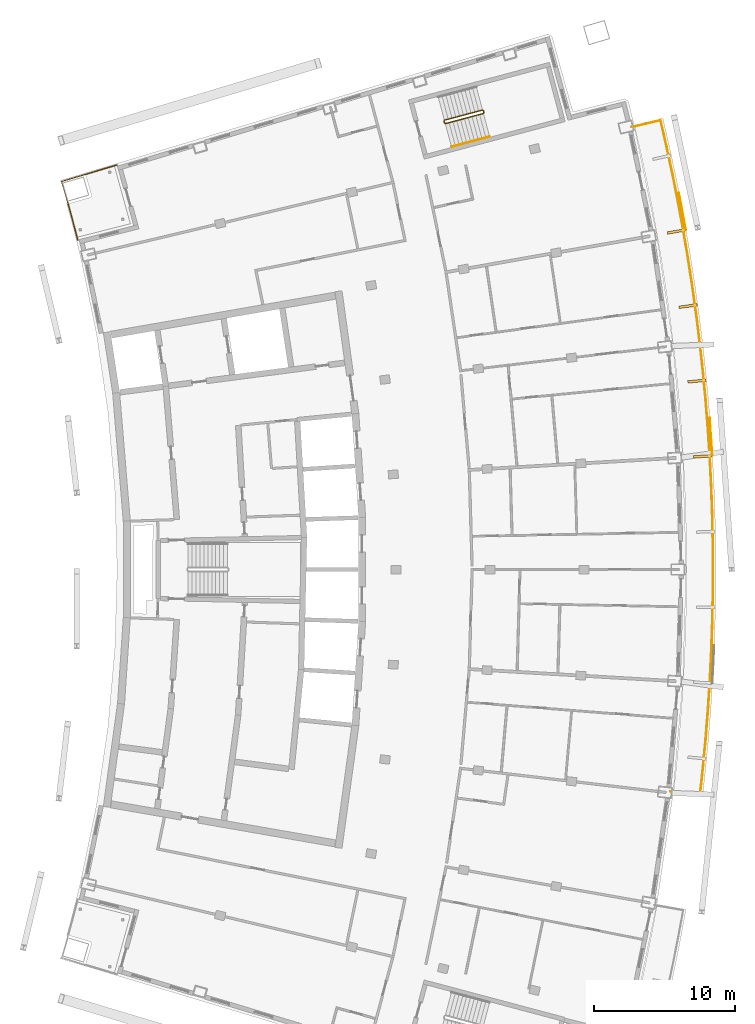
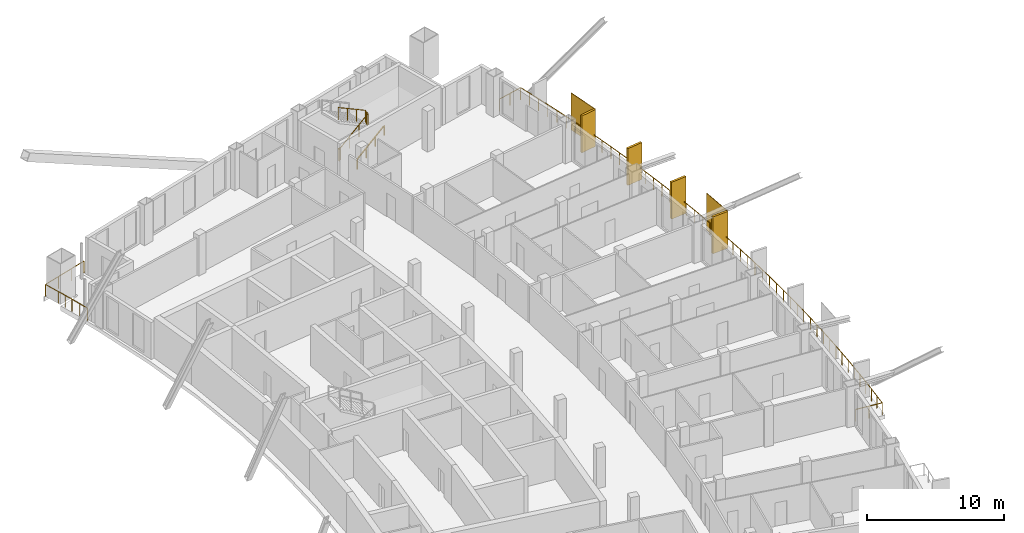
# One storey, part 16 of 17: 6 shading devices, 4 railings.
"""IFC4 building model written with IfcOpenShell, lengths in metres."""

from ifc_helpers import new_model, si_unit, direction, frame, origin, origin_2d, place, context, subcontext, project, spatial, rectangle, extrude, material, layer, layer_set, type_object, element, save


model = new_model("IFC4")

# Units and contexts
model_context = context("Model", 3, precision=1e-05, world=origin(), true_north=direction((0.0, 1.0)))
body_context = subcontext(model_context, "Body", "Model", "MODEL_VIEW")
ifc_project = project(units=[si_unit("LENGTHUNIT", "METRE"), si_unit("AREAUNIT", "SQUARE_METRE"), si_unit("VOLUMEUNIT", "CUBIC_METRE"), si_unit("PLANEANGLEUNIT", "RADIAN"), si_unit("MASSUNIT", "GRAM", prefix="KILO")], contexts=[model_context])

# Site, building, storey
site_placement = place(None, origin())
site = spatial("IfcSite", under=ifc_project, at=site_placement, CompositionType="ELEMENT")
building_placement = place(site_placement, origin())
building = spatial("IfcBuilding", under=site, at=building_placement, Name="Alderwake Tower", CompositionType="ELEMENT")
storey_placement = place(building_placement, frame((0.0, 0.0, 278.0)))
storey = spatial("IfcBuildingStorey", under=building, at=storey_placement, Name="L69", CompositionType="ELEMENT", Elevation=278.0)

# Railings
ifc_material_1 = material(Name="Stainless steel 316 rail and posts", Category="steel")
railing_type_1 = type_object("IfcRailingType", Name="Balcony guard 1100", PredefinedType="GUARDRAIL", material=ifc_material_1)
railing_1_placement = place(storey_placement, frame((55.28564453125, 45.243896484375, 0.0)))
element("IfcRailing", 1, at=railing_1_placement, inside=storey, type_object=railing_type_1, Name="Guard BF05", PredefinedType="GUARDRAIL", context=body_context, shape_type="SweptSolid", body=[
    extrude(rectangle(XDim=0.048095703125, YDim=0.048095703125, at=origin_2d()), frame((0.0, 0.0, 1.076171875), z_axis=(0.993287203457, -0.115674247125, 0.0), x_axis=(0.115674247125, 0.993287203457, 0.0)), (0.0, 0.0, 1.0), 2.10009765625),
    extrude(rectangle(XDim=0.048095703125, YDim=0.048095703125, at=origin_2d()), frame((2.0859375, -0.242919921875, 1.076171875), z_axis=(0.108767888102, 0.994067174047, 0.0), x_axis=(-0.994067174047, 0.108767888102, 0.0)), (0.0, 0.0, 1.0), 1.9169921875),
    extrude(rectangle(XDim=0.048095703125, YDim=0.048095703125, at=origin_2d()), frame((2.29443359375, 1.66259765625, 1.076171875), z_axis=(0.094660568138, 0.995509606604, 0.0), x_axis=(-0.995509606604, 0.094660568138, 0.0)), (0.0, 0.0, 1.0), 2.016845703125),
    extrude(rectangle(XDim=0.048095703125, YDim=0.048095703125, at=origin_2d()), frame((2.4853515625, 3.67041015625, 1.076171875), z_axis=(0.080139758047, 0.996783637095, 0.0), x_axis=(-0.996783637095, 0.080139758047, 0.0)), (0.0, 0.0, 1.0), 2.016845703125),
    extrude(rectangle(XDim=0.048095703125, YDim=0.048095703125, at=origin_2d()), frame((2.64697265625, 5.6806640625, 1.076171875), z_axis=(0.065490546604, 0.997853189756, 0.0), x_axis=(-0.997853189756, 0.065490546604, 0.0)), (0.0, 0.0, 1.0), 2.016845703125),
    extrude(rectangle(XDim=0.048095703125, YDim=0.048095703125, at=origin_2d()), frame((2.779052734375, 7.693115234375, 1.076171875), z_axis=(0.051078552606, 0.998694638748, 0.0), x_axis=(-0.998694638748, 0.051078552606, 0.0)), (0.0, 0.0, 1.0), 2.01708984375),
    extrude(rectangle(XDim=0.048095703125, YDim=0.048095703125, at=origin_2d()), frame((2.882080078125, 9.70751953125, 1.076171875), z_axis=(0.036438534793, 0.999335896074, 0.0), x_axis=(-0.999335896074, 0.036438534793, 0.0)), (0.0, 0.0, 1.0), 2.0166015625),
    extrude(rectangle(XDim=0.048095703125, YDim=0.048095703125, at=origin_2d()), frame((2.95556640625, 11.722900390625, 1.076171875), z_axis=(0.021910225153, 0.999759942203, 0.0), x_axis=(-0.999759942203, 0.021910225153, 0.0)), (0.0, 0.0, 1.0), 2.016845703125),
    extrude(rectangle(XDim=0.048095703125, YDim=0.048095703125, at=origin_2d()), frame((2.999755859375, 13.7392578125, 1.076171875), z_axis=(0.007262851653, 0.999973625145, 0.0), x_axis=(-0.999973625145, 0.007262851653, 0.0)), (0.0, 0.0, 1.0), 2.016845703125),
    extrude(rectangle(XDim=0.048095703125, YDim=0.048095703125, at=origin_2d()), frame((3.014404296875, 15.756103515625, 1.076171875), z_axis=(-0.007262851653, 0.999973625145, 0.0), x_axis=(-0.999973625145, -0.007262851653, 0.0)), (0.0, 0.0, 1.0), 2.016845703125),
    extrude(rectangle(XDim=0.048095703125, YDim=0.048095703125, at=origin_2d()), frame((2.999755859375, 17.77294921875, 1.076171875), z_axis=(-0.021910225153, 0.999759942203, 0.0), x_axis=(-0.999759942203, -0.021910225153, 0.0)), (0.0, 0.0, 1.0), 2.016845703125),
    extrude(rectangle(XDim=0.048095703125, YDim=0.048095703125, at=origin_2d()), frame((2.95556640625, 19.789306640625, 1.076171875), z_axis=(-0.036438534793, 0.999335896074, 0.0), x_axis=(-0.999335896074, -0.036438534793, 0.0)), (0.0, 0.0, 1.0), 2.0166015625),
    extrude(rectangle(XDim=0.048095703125, YDim=0.048095703125, at=origin_2d()), frame((2.882080078125, 21.8046875, 1.076171875), z_axis=(-0.051078552606, 0.998694638748, 0.0), x_axis=(-0.998694638748, -0.051078552606, 0.0)), (0.0, 0.0, 1.0), 2.01708984375),
    extrude(rectangle(XDim=0.048095703125, YDim=0.048095703125, at=origin_2d()), frame((2.779052734375, 23.819091796875, 1.076171875), z_axis=(-0.065490546604, 0.997853189756, 0.0), x_axis=(-0.997853189756, -0.065490546604, 0.0)), (0.0, 0.0, 1.0), 2.016845703125),
    extrude(rectangle(XDim=0.048095703125, YDim=0.048095703125, at=origin_2d()), frame((2.64697265625, 25.83154296875, 1.076171875), z_axis=(-0.080139758047, 0.996783637095, 0.0), x_axis=(-0.996783637095, -0.080139758047, 0.0)), (0.0, 0.0, 1.0), 2.016845703125),
    extrude(rectangle(XDim=0.048095703125, YDim=0.048095703125, at=origin_2d()), frame((2.4853515625, 27.841796875, 1.076171875), z_axis=(-0.094660568138, 0.995509606604, 0.0), x_axis=(-0.995509606604, -0.094660568138, 0.0)), (0.0, 0.0, 1.0), 2.016845703125),
    extrude(rectangle(XDim=0.048095703125, YDim=0.048095703125, at=origin_2d()), frame((2.29443359375, 29.849609375, 1.076171875), z_axis=(-0.109182608564, 0.994021709012, 0.0), x_axis=(-0.994021709012, -0.109182608564, 0.0)), (0.0, 0.0, 1.0), 2.016845703125),
    extrude(rectangle(XDim=0.048095703125, YDim=0.048095703125, at=origin_2d()), frame((2.07421875, 31.8544921875, 1.076171875), z_axis=(-0.12358778359, 0.992333643362, 0.0), x_axis=(-0.992333643362, -0.12358778359, 0.0)), (0.0, 0.0, 1.0), 2.016845703125),
    extrude(rectangle(XDim=0.048095703125, YDim=0.048095703125, at=origin_2d()), frame((1.824951171875, 33.85595703125, 1.076171875), z_axis=(-0.138115953445, 0.990416065805, 0.0), x_axis=(-0.990416065805, -0.138115953445, 0.0)), (0.0, 0.0, 1.0), 2.016845703125),
    extrude(rectangle(XDim=0.048095703125, YDim=0.048095703125, at=origin_2d()), frame((1.54638671875, 35.853515625, 1.076171875), z_axis=(-0.152530193773, 0.988298811083, 0.0), x_axis=(-0.988298811083, -0.152530193773, 0.0)), (0.0, 0.0, 1.0), 2.016845703125),
    extrude(rectangle(XDim=0.048095703125, YDim=0.048095703125, at=origin_2d()), frame((1.23876953125, 37.8466796875, 1.076171875), z_axis=(-0.166930722761, 0.985968627188, 0.0), x_axis=(-0.985968627188, -0.166930722761, 0.0)), (0.0, 0.0, 1.0), 2.016845703125),
    extrude(rectangle(XDim=0.048095703125, YDim=0.048095703125, at=origin_2d()), frame((0.902099609375, 39.835205078125, 1.076171875), z_axis=(-0.181334963414, 0.983421390373, 0.0), x_axis=(-0.983421390373, -0.181334963414, 0.0)), (0.0, 0.0, 1.0), 2.016845703125),
    extrude(rectangle(XDim=0.048095703125, YDim=0.048095703125, at=origin_2d()), frame((0.536376953125, 41.818603515625, 1.076171875), z_axis=(-0.195604007271, 0.980682962195, 0.0), x_axis=(-0.980682962195, -0.195604007271, 0.0)), (0.0, 0.0, 1.0), 2.01708984375),
    extrude(rectangle(XDim=0.048095703125, YDim=0.048095703125, at=origin_2d()), frame((0.141845703125, 43.796630859375, 1.076171875), z_axis=(-0.20990108156, 0.977722627313, 0.0), x_axis=(-0.977722627313, -0.20990108156, 0.0)), (0.0, 0.0, 1.0), 2.016845703125),
    extrude(rectangle(XDim=0.048095703125, YDim=0.048095703125, at=origin_2d()), frame((-0.281494140625, 45.7685546875, 1.076171875), z_axis=(-0.223789603838, 0.974637477842, 0.0), x_axis=(-0.974637477842, -0.223789603838, 0.0)), (0.0, 0.0, 1.0), 1.916748046875),
    extrude(rectangle(XDim=0.048095703125, YDim=0.048095703125, at=origin_2d()), frame((-0.71044921875, 47.63671875, 1.076171875), z_axis=(-0.973057638874, -0.230561990427, 0.0), x_axis=(0.230561990427, -0.973057638874, 0.0)), (0.0, 0.0, 1.0), 2.099853515625),
    extrude(rectangle(XDim=0.0419921875, YDim=0.0419921875, at=origin_2d()), frame((0.0, 0.0, 0.0), z_axis=(0.0, 0.0, 1.0), x_axis=(0.993287203457, -0.115674247125, 0.0)), (0.0, 0.0, 1.0), 1.052001953125),
    extrude(rectangle(XDim=0.0419921875, YDim=0.0419921875, at=origin_2d()), frame((1.04296875, -0.12158203125, 0.0), z_axis=(0.0, 0.0, 1.0), x_axis=(0.993287203457, -0.115674247125, 0.0)), (0.0, 0.0, 1.0), 1.052001953125),
    extrude(rectangle(XDim=0.0419921875, YDim=0.0419921875, at=origin_2d()), frame((2.0859375, -0.242919921875, 0.0), z_axis=(0.0, 0.0, 1.0), x_axis=(0.108767888102, 0.994067174047, 0.0)), (0.0, 0.0, 1.0), 1.052001953125),
    extrude(rectangle(XDim=0.0419921875, YDim=0.0419921875, at=origin_2d()), frame((2.190185546875, 0.7099609375, 0.0), z_axis=(0.0, 0.0, 1.0), x_axis=(0.108767888102, 0.994067174047, 0.0)), (0.0, 0.0, 1.0), 1.052001953125),
    extrude(rectangle(XDim=0.0419921875, YDim=0.0419921875, at=origin_2d()), frame((2.29443359375, 1.66259765625, 0.0), z_axis=(0.0, 0.0, 1.0), x_axis=(0.094660568138, 0.995509606604, 0.0)), (0.0, 0.0, 1.0), 1.052001953125),
    extrude(rectangle(XDim=0.0419921875, YDim=0.0419921875, at=origin_2d()), frame((2.389892578125, 2.66650390625, 0.0), z_axis=(0.0, 0.0, 1.0), x_axis=(0.094660568138, 0.995509606604, 0.0)), (0.0, 0.0, 1.0), 1.052001953125),
    extrude(rectangle(XDim=0.0419921875, YDim=0.0419921875, at=origin_2d()), frame((2.4853515625, 3.67041015625, 0.0), z_axis=(0.0, 0.0, 1.0), x_axis=(0.080139758047, 0.996783637095, 0.0)), (0.0, 0.0, 1.0), 1.052001953125),
    extrude(rectangle(XDim=0.0419921875, YDim=0.0419921875, at=origin_2d()), frame((2.566162109375, 4.675537109375, 0.0), z_axis=(0.0, 0.0, 1.0), x_axis=(0.080139758047, 0.996783637095, 0.0)), (0.0, 0.0, 1.0), 1.052001953125),
    extrude(rectangle(XDim=0.0419921875, YDim=0.0419921875, at=origin_2d()), frame((2.64697265625, 5.6806640625, 0.0), z_axis=(0.0, 0.0, 1.0), x_axis=(0.065490546604, 0.997853189756, 0.0)), (0.0, 0.0, 1.0), 1.052001953125),
    extrude(rectangle(XDim=0.0419921875, YDim=0.0419921875, at=origin_2d()), frame((2.712890625, 6.68701171875, 0.0), z_axis=(0.0, 0.0, 1.0), x_axis=(0.065490546604, 0.997853189756, 0.0)), (0.0, 0.0, 1.0), 1.052001953125),
    extrude(rectangle(XDim=0.0419921875, YDim=0.0419921875, at=origin_2d()), frame((2.779052734375, 7.693115234375, 0.0), z_axis=(0.0, 0.0, 1.0), x_axis=(0.051078552606, 0.998694638748, 0.0)), (0.0, 0.0, 1.0), 1.052001953125),
    extrude(rectangle(XDim=0.0419921875, YDim=0.0419921875, at=origin_2d()), frame((2.83056640625, 8.7001953125, 0.0), z_axis=(0.0, 0.0, 1.0), x_axis=(0.051078552606, 0.998694638748, 0.0)), (0.0, 0.0, 1.0), 1.052001953125),
    extrude(rectangle(XDim=0.0419921875, YDim=0.0419921875, at=origin_2d()), frame((2.882080078125, 9.70751953125, 0.0), z_axis=(0.0, 0.0, 1.0), x_axis=(0.036438534793, 0.999335896074, 0.0)), (0.0, 0.0, 1.0), 1.052001953125),
    extrude(rectangle(XDim=0.0419921875, YDim=0.0419921875, at=origin_2d()), frame((2.9189453125, 10.71533203125, 0.0), z_axis=(0.0, 0.0, 1.0), x_axis=(0.036438534793, 0.999335896074, 0.0)), (0.0, 0.0, 1.0), 1.052001953125),
    extrude(rectangle(XDim=0.0419921875, YDim=0.0419921875, at=origin_2d()), frame((2.95556640625, 11.722900390625, 0.0), z_axis=(0.0, 0.0, 1.0), x_axis=(0.021910225153, 0.999759942203, 0.0)), (0.0, 0.0, 1.0), 1.052001953125),
    extrude(rectangle(XDim=0.0419921875, YDim=0.0419921875, at=origin_2d()), frame((2.9775390625, 12.73095703125, 0.0), z_axis=(0.0, 0.0, 1.0), x_axis=(0.021910225153, 0.999759942203, 0.0)), (0.0, 0.0, 1.0), 1.052001953125),
    extrude(rectangle(XDim=0.0419921875, YDim=0.0419921875, at=origin_2d()), frame((2.999755859375, 13.7392578125, 0.0), z_axis=(0.0, 0.0, 1.0), x_axis=(0.007262851653, 0.999973625145, 0.0)), (0.0, 0.0, 1.0), 1.052001953125),
    extrude(rectangle(XDim=0.0419921875, YDim=0.0419921875, at=origin_2d()), frame((3.007080078125, 14.74755859375, 0.0), z_axis=(0.0, 0.0, 1.0), x_axis=(0.007262851653, 0.999973625145, 0.0)), (0.0, 0.0, 1.0), 1.052001953125),
    extrude(rectangle(XDim=0.0419921875, YDim=0.0419921875, at=origin_2d()), frame((3.014404296875, 15.756103515625, 0.0), z_axis=(0.0, 0.0, 1.0), x_axis=(-0.007262851653, 0.999973625145, 0.0)), (0.0, 0.0, 1.0), 1.052001953125),
    extrude(rectangle(XDim=0.0419921875, YDim=0.0419921875, at=origin_2d()), frame((3.007080078125, 16.7646484375, 0.0), z_axis=(0.0, 0.0, 1.0), x_axis=(-0.007262851653, 0.999973625145, 0.0)), (0.0, 0.0, 1.0), 1.052001953125),
    extrude(rectangle(XDim=0.0419921875, YDim=0.0419921875, at=origin_2d()), frame((2.999755859375, 17.77294921875, 0.0), z_axis=(0.0, 0.0, 1.0), x_axis=(-0.021910225153, 0.999759942203, 0.0)), (0.0, 0.0, 1.0), 1.052001953125),
    extrude(rectangle(XDim=0.0419921875, YDim=0.0419921875, at=origin_2d()), frame((2.9775390625, 18.78125, 0.0), z_axis=(0.0, 0.0, 1.0), x_axis=(-0.021910225153, 0.999759942203, 0.0)), (0.0, 0.0, 1.0), 1.052001953125),
    extrude(rectangle(XDim=0.0419921875, YDim=0.0419921875, at=origin_2d()), frame((2.95556640625, 19.789306640625, 0.0), z_axis=(0.0, 0.0, 1.0), x_axis=(-0.036438534793, 0.999335896074, 0.0)), (0.0, 0.0, 1.0), 1.052001953125),
    extrude(rectangle(XDim=0.0419921875, YDim=0.0419921875, at=origin_2d()), frame((2.9189453125, 20.796875, 0.0), z_axis=(0.0, 0.0, 1.0), x_axis=(-0.036438534793, 0.999335896074, 0.0)), (0.0, 0.0, 1.0), 1.052001953125),
    extrude(rectangle(XDim=0.0419921875, YDim=0.0419921875, at=origin_2d()), frame((2.882080078125, 21.8046875, 0.0), z_axis=(0.0, 0.0, 1.0), x_axis=(-0.051078552606, 0.998694638748, 0.0)), (0.0, 0.0, 1.0), 1.052001953125),
    extrude(rectangle(XDim=0.0419921875, YDim=0.0419921875, at=origin_2d()), frame((2.83056640625, 22.81201171875, 0.0), z_axis=(0.0, 0.0, 1.0), x_axis=(-0.051078552606, 0.998694638748, 0.0)), (0.0, 0.0, 1.0), 1.052001953125),
    extrude(rectangle(XDim=0.0419921875, YDim=0.0419921875, at=origin_2d()), frame((2.779052734375, 23.819091796875, 0.0), z_axis=(0.0, 0.0, 1.0), x_axis=(-0.065490546604, 0.997853189756, 0.0)), (0.0, 0.0, 1.0), 1.052001953125),
    extrude(rectangle(XDim=0.0419921875, YDim=0.0419921875, at=origin_2d()), frame((2.712890625, 24.8251953125, 0.0), z_axis=(0.0, 0.0, 1.0), x_axis=(-0.065490546604, 0.997853189756, 0.0)), (0.0, 0.0, 1.0), 1.052001953125),
    extrude(rectangle(XDim=0.0419921875, YDim=0.0419921875, at=origin_2d()), frame((2.64697265625, 25.83154296875, 0.0), z_axis=(0.0, 0.0, 1.0), x_axis=(-0.080139758047, 0.996783637095, 0.0)), (0.0, 0.0, 1.0), 1.052001953125),
    extrude(rectangle(XDim=0.0419921875, YDim=0.0419921875, at=origin_2d()), frame((2.566162109375, 26.836669921875, 0.0), z_axis=(0.0, 0.0, 1.0), x_axis=(-0.080139758047, 0.996783637095, 0.0)), (0.0, 0.0, 1.0), 1.052001953125),
    extrude(rectangle(XDim=0.0419921875, YDim=0.0419921875, at=origin_2d()), frame((2.4853515625, 27.841796875, 0.0), z_axis=(0.0, 0.0, 1.0), x_axis=(-0.094660568138, 0.995509606604, 0.0)), (0.0, 0.0, 1.0), 1.052001953125),
    extrude(rectangle(XDim=0.0419921875, YDim=0.0419921875, at=origin_2d()), frame((2.389892578125, 28.845703125, 0.0), z_axis=(0.0, 0.0, 1.0), x_axis=(-0.094660568138, 0.995509606604, 0.0)), (0.0, 0.0, 1.0), 1.052001953125),
    extrude(rectangle(XDim=0.0419921875, YDim=0.0419921875, at=origin_2d()), frame((2.29443359375, 29.849609375, 0.0), z_axis=(0.0, 0.0, 1.0), x_axis=(-0.109182608564, 0.994021709012, 0.0)), (0.0, 0.0, 1.0), 1.052001953125),
    extrude(rectangle(XDim=0.0419921875, YDim=0.0419921875, at=origin_2d()), frame((2.184326171875, 30.85205078125, 0.0), z_axis=(0.0, 0.0, 1.0), x_axis=(-0.109182608564, 0.994021709012, 0.0)), (0.0, 0.0, 1.0), 1.052001953125),
    extrude(rectangle(XDim=0.0419921875, YDim=0.0419921875, at=origin_2d()), frame((2.07421875, 31.8544921875, 0.0), z_axis=(0.0, 0.0, 1.0), x_axis=(-0.12358778359, 0.992333643362, 0.0)), (0.0, 0.0, 1.0), 1.052001953125),
    extrude(rectangle(XDim=0.0419921875, YDim=0.0419921875, at=origin_2d()), frame((1.94970703125, 32.855224609375, 0.0), z_axis=(0.0, 0.0, 1.0), x_axis=(-0.12358778359, 0.992333643362, 0.0)), (0.0, 0.0, 1.0), 1.052001953125),
    extrude(rectangle(XDim=0.0419921875, YDim=0.0419921875, at=origin_2d()), frame((1.824951171875, 33.85595703125, 0.0), z_axis=(0.0, 0.0, 1.0), x_axis=(-0.138115953445, 0.990416065805, 0.0)), (0.0, 0.0, 1.0), 1.052001953125),
    extrude(rectangle(XDim=0.0419921875, YDim=0.0419921875, at=origin_2d()), frame((1.685546875, 34.854736328125, 0.0), z_axis=(0.0, 0.0, 1.0), x_axis=(-0.138115953445, 0.990416065805, 0.0)), (0.0, 0.0, 1.0), 1.052001953125),
    extrude(rectangle(XDim=0.0419921875, YDim=0.0419921875, at=origin_2d()), frame((1.54638671875, 35.853515625, 0.0), z_axis=(0.0, 0.0, 1.0), x_axis=(-0.152530193773, 0.988298811083, 0.0)), (0.0, 0.0, 1.0), 1.052001953125),
    extrude(rectangle(XDim=0.0419921875, YDim=0.0419921875, at=origin_2d()), frame((1.392578125, 36.85009765625, 0.0), z_axis=(0.0, 0.0, 1.0), x_axis=(-0.152530193773, 0.988298811083, 0.0)), (0.0, 0.0, 1.0), 1.052001953125),
    extrude(rectangle(XDim=0.0419921875, YDim=0.0419921875, at=origin_2d()), frame((1.23876953125, 37.8466796875, 0.0), z_axis=(0.0, 0.0, 1.0), x_axis=(-0.166930722761, 0.985968627188, 0.0)), (0.0, 0.0, 1.0), 1.052001953125),
    extrude(rectangle(XDim=0.0419921875, YDim=0.0419921875, at=origin_2d()), frame((1.0703125, 38.8408203125, 0.0), z_axis=(0.0, 0.0, 1.0), x_axis=(-0.166930722761, 0.985968627188, 0.0)), (0.0, 0.0, 1.0), 1.052001953125),
    extrude(rectangle(XDim=0.0419921875, YDim=0.0419921875, at=origin_2d()), frame((0.902099609375, 39.835205078125, 0.0), z_axis=(0.0, 0.0, 1.0), x_axis=(-0.181334963414, 0.983421390373, 0.0)), (0.0, 0.0, 1.0), 1.052001953125),
    extrude(rectangle(XDim=0.0419921875, YDim=0.0419921875, at=origin_2d()), frame((0.71923828125, 40.826904296875, 0.0), z_axis=(0.0, 0.0, 1.0), x_axis=(-0.181334963414, 0.983421390373, 0.0)), (0.0, 0.0, 1.0), 1.052001953125),
    extrude(rectangle(XDim=0.0419921875, YDim=0.0419921875, at=origin_2d()), frame((0.536376953125, 41.818603515625, 0.0), z_axis=(0.0, 0.0, 1.0), x_axis=(-0.195604007271, 0.980682962195, 0.0)), (0.0, 0.0, 1.0), 1.052001953125),
    extrude(rectangle(XDim=0.0419921875, YDim=0.0419921875, at=origin_2d()), frame((0.339111328125, 42.8076171875, 0.0), z_axis=(0.0, 0.0, 1.0), x_axis=(-0.195604007271, 0.980682962195, 0.0)), (0.0, 0.0, 1.0), 1.052001953125),
    extrude(rectangle(XDim=0.0419921875, YDim=0.0419921875, at=origin_2d()), frame((0.141845703125, 43.796630859375, 0.0), z_axis=(0.0, 0.0, 1.0), x_axis=(-0.20990108156, 0.977722627313, 0.0)), (0.0, 0.0, 1.0), 1.052001953125),
    extrude(rectangle(XDim=0.0419921875, YDim=0.0419921875, at=origin_2d()), frame((-0.06982421875, 44.78271484375, 0.0), z_axis=(0.0, 0.0, 1.0), x_axis=(-0.20990108156, 0.977722627313, 0.0)), (0.0, 0.0, 1.0), 1.052001953125),
    extrude(rectangle(XDim=0.0419921875, YDim=0.0419921875, at=origin_2d()), frame((-0.281494140625, 45.7685546875, 0.0), z_axis=(0.0, 0.0, 1.0), x_axis=(-0.223789603838, 0.974637477842, 0.0)), (0.0, 0.0, 1.0), 1.052001953125),
    extrude(rectangle(XDim=0.0419921875, YDim=0.0419921875, at=origin_2d()), frame((-0.49609375, 46.70263671875, 0.0), z_axis=(0.0, 0.0, 1.0), x_axis=(-0.223789603838, 0.974637477842, 0.0)), (0.0, 0.0, 1.0), 1.052001953125),
    extrude(rectangle(XDim=0.0419921875, YDim=0.0419921875, at=origin_2d()), frame((-0.71044921875, 47.63671875, 0.0), z_axis=(0.0, 0.0, 1.0), x_axis=(-0.973057638874, -0.230561990427, 0.0)), (0.0, 0.0, 1.0), 1.052001953125),
    extrude(rectangle(XDim=0.0419921875, YDim=0.0419921875, at=origin_2d()), frame((-1.73193359375, 47.39453125, 0.0), z_axis=(0.0, 0.0, 1.0), x_axis=(-0.973057638874, -0.230561990427, 0.0)), (0.0, 0.0, 1.0), 1.052001953125),
    extrude(rectangle(XDim=0.0419921875, YDim=0.0419921875, at=origin_2d()), frame((-2.753662109375, 47.152587890625, 0.0), z_axis=(0.0, 0.0, 1.0), x_axis=(-0.973057638874, -0.230561990427, 0.0)), (0.0, 0.0, 1.0), 1.052001953125),
])
railing_2_placement = place(storey_placement, frame((13.210693359375, 84.387451171875, 0.0)))
element("IfcRailing", 2, at=railing_2_placement, inside=storey, type_object=railing_type_1, Name="Guard terrace RN", PredefinedType="GUARDRAIL", context=body_context, shape_type="SweptSolid", body=[
    extrude(rectangle(XDim=0.048095703125, YDim=0.048095703125, at=origin_2d()), frame((0.0, 0.0, 1.076171875), z_axis=(-0.251385381433, 0.967887075026, 0.0), x_axis=(-0.967887075026, -0.251385381433, 0.0)), (0.0, 0.0, 1.0), 1.6015625),
    extrude(rectangle(XDim=0.048095703125, YDim=0.048095703125, at=origin_2d()), frame((-0.402587890625, 1.550048828125, 1.076171875), z_axis=(-0.266520638672, 0.963829211615, 0.0), x_axis=(-0.963829211615, -0.266520638672, 0.0)), (0.0, 0.0, 1.0), 1.401611328125),
    extrude(rectangle(XDim=0.048095703125, YDim=0.048095703125, at=origin_2d()), frame((-0.776123046875, 2.90087890625, 1.076171875), z_axis=(-0.280093650878, 0.959972680204, 0.0), x_axis=(-0.959972680204, -0.280093650878, 0.0)), (0.0, 0.0, 1.0), 1.30126953125),
    extrude(rectangle(XDim=0.048095703125, YDim=0.048095703125, at=origin_2d()), frame((-1.140625, 4.150146484375, 1.076171875), z_axis=(0.958066871889, 0.286544706789, 0.0), x_axis=(-0.286544706789, 0.958066871889, 0.0)), (0.0, 0.0, 1.0), 4.099853515625),
    extrude(rectangle(XDim=0.0419921875, YDim=0.0419921875, at=origin_2d()), frame((0.0, 0.0, 0.0), z_axis=(0.0, 0.0, 1.0), x_axis=(-0.251385381433, 0.967887075026, 0.0)), (0.0, 0.0, 1.0), 1.052001953125),
    extrude(rectangle(XDim=0.0419921875, YDim=0.0419921875, at=origin_2d()), frame((-0.201171875, 0.77490234375, 0.0), z_axis=(0.0, 0.0, 1.0), x_axis=(-0.251385381433, 0.967887075026, 0.0)), (0.0, 0.0, 1.0), 1.052001953125),
    extrude(rectangle(XDim=0.0419921875, YDim=0.0419921875, at=origin_2d()), frame((-0.402587890625, 1.550048828125, 0.0), z_axis=(0.0, 0.0, 1.0), x_axis=(-0.266520638672, 0.963829211615, 0.0)), (0.0, 0.0, 1.0), 1.052001953125),
    extrude(rectangle(XDim=0.0419921875, YDim=0.0419921875, at=origin_2d()), frame((-0.58935546875, 2.2255859375, 0.0), z_axis=(0.0, 0.0, 1.0), x_axis=(-0.266520638672, 0.963829211615, 0.0)), (0.0, 0.0, 1.0), 1.052001953125),
    extrude(rectangle(XDim=0.0419921875, YDim=0.0419921875, at=origin_2d()), frame((-0.776123046875, 2.90087890625, 0.0), z_axis=(0.0, 0.0, 1.0), x_axis=(-0.280093650878, 0.959972680204, 0.0)), (0.0, 0.0, 1.0), 1.052001953125),
    extrude(rectangle(XDim=0.0419921875, YDim=0.0419921875, at=origin_2d()), frame((-1.140625, 4.150146484375, 0.0), z_axis=(0.0, 0.0, 1.0), x_axis=(0.958066871889, 0.286544706789, 0.0)), (0.0, 0.0, 1.0), 1.052001953125),
    extrude(rectangle(XDim=0.0419921875, YDim=0.0419921875, at=origin_2d()), frame((0.168701171875, 4.541748046875, 0.0), z_axis=(0.0, 0.0, 1.0), x_axis=(0.958066871889, 0.286544706789, 0.0)), (0.0, 0.0, 1.0), 1.052001953125),
    extrude(rectangle(XDim=0.0419921875, YDim=0.0419921875, at=origin_2d()), frame((1.47802734375, 4.933349609375, 0.0), z_axis=(0.0, 0.0, 1.0), x_axis=(0.958066871889, 0.286544706789, 0.0)), (0.0, 0.0, 1.0), 1.052001953125),
    extrude(rectangle(XDim=0.0419921875, YDim=0.0419921875, at=origin_2d()), frame((2.787353515625, 5.324951171875, 0.0), z_axis=(0.0, 0.0, 1.0), x_axis=(0.958066871889, 0.286544706789, 0.0)), (0.0, 0.0, 1.0), 1.052001953125),
])

# Shading devices
ifc_material_2 = material(Name="Bronze anodised aluminium", Category="aluminium")
ifc_layer_1 = layer(ifc_material_2, 0.179931640625)
ifc_layer_set_1 = layer_set([ifc_layer_1], Name="Facade fin 1300")
shading_device_type_1 = type_object("IfcShadingDeviceType", Name="Facade fin 1300", PredefinedType="USERDEFINED", material=ifc_layer_set_1)
for number, where, z_axis, x_axis, name in (
    (3, (57.56591796875, 69.029296875, 0.0), (0.0, 0.0, 1.0), (0.998301080988, 0.058266214038, 0.0), "Fin"),
    (4, (57.149658203125, 74.373046875, 0.0), (0.0, 0.0, 1.0), (0.995279882363, 0.097046152751, 0.0), "Fin"),
    (5, (56.525634765625, 79.69677734375, 0.0), (0.0, 0.0, 1.0), (0.990752577235, 0.135680988728, 0.0), "Fin"),
    (6, (55.6953125, 84.9921875, 0.0), (0.0, 0.0, 1.0), (0.984726421654, 0.174108800747, 0.0), "Fin"),
):
    element("IfcShadingDevice", number, at=place(storey_placement, frame(where, z_axis=z_axis, x_axis=x_axis)), inside=storey, type_object=shading_device_type_1, Name=name, ObjectType="FIN", PredefinedType="USERDEFINED", context=body_context, shape_type="SweptSolid", body=[
        extrude(rectangle(XDim=1.300048828125, YDim=0.179931640625, at=origin_2d()), origin(), (0.0, 0.0, 1.0), 3.280029296875),
    ])
ifc_material_3 = material(Name="Perforated bronze anodised aluminium", Category="aluminium")
ifc_layer_2 = layer(ifc_material_3, 0.050048828125)
ifc_layer_set_2 = layer_set([ifc_layer_2], Name="Perforated screen panel")
shading_device_type_2 = type_object("IfcShadingDeviceType", Name="Perforated screen panel", PredefinedType="USERDEFINED", material=ifc_layer_set_2)
shading_device_1_placement = place(storey_placement, frame((58.14794921875, 70.41552734375, 0.0), z_axis=(0.0, 0.0, 1.0), x_axis=(0.997685465774, 0.067997877779, 0.0)))
element("IfcShadingDevice", 7, at=shading_device_1_placement, inside=storey, type_object=shading_device_type_2, Name="Screen panel", ObjectType="SCREEN", PredefinedType="USERDEFINED", context=body_context, shape_type="SweptSolid", body=[
    extrude(rectangle(XDim=0.050048828125, YDim=2.7001953125, at=origin_2d()), origin(), (0.0, 0.0, 1.0), 3.280029296875),
])
shading_device_2_placement = place(storey_placement, frame((56.11328125, 86.429931640625, 0.0), z_axis=(0.0, 0.0, 1.0), x_axis=(0.982991488043, 0.183651121519, 0.0)))
element("IfcShadingDevice", 8, at=shading_device_2_placement, inside=storey, type_object=shading_device_type_2, Name="Screen panel", ObjectType="SCREEN", PredefinedType="USERDEFINED", context=body_context, shape_type="SweptSolid", body=[
    extrude(rectangle(XDim=0.050048828125, YDim=2.686279296875, at=origin_2d()), origin(), (0.0, 0.0, 1.0), 3.280029296875),
])

# Railings
ifc_material_4 = material(Name="Stainless steel guard", Category="steel")
railing_type_2 = type_object("IfcRailingType", Name="Stair guard 1100", PredefinedType="GUARDRAIL", material=ifc_material_4)
railing_3_placement = place(storey_placement, frame((39.23291015625, 92.6806640625, 0.0)))
element("IfcRailing", 9, at=railing_3_placement, inside=storey, type_object=railing_type_2, Name="L69 ST-A stair guard 1", PredefinedType="GUARDRAIL", context=body_context, shape_type="SweptSolid", body=[
    extrude(rectangle(XDim=0.048095703125, YDim=0.048095703125, at=origin_2d()), frame((0.0, 0.0, 1.076171875), z_axis=(-0.257055032184, 0.966396766566, 0.0), x_axis=(-0.966396766566, -0.257055032184, 0.0)), (0.0, 0.0, 1.0), 0.150146484375),
    extrude(rectangle(XDim=0.048095703125, YDim=0.048095703125, at=origin_2d()), frame((-0.03857421875, 0.14501953125, 1.076171875), z_axis=(0.379370725808, -0.685464465458, 0.621463047167), x_axis=(0.874937996095, 0.484234966715, 0.0)), (0.0, 0.0, 1.0), 0.26318359375),
    extrude(rectangle(XDim=0.048095703125, YDim=0.048095703125, at=origin_2d()), frame((0.061279296875, -0.035400390625, 1.23974609375), z_axis=(0.834258940753, 0.22222815314, 0.504605457487), x_axis=(-0.257402139082, 0.966304371715, 0.0)), (0.0, 0.0, 1.0), 3.2431640625),
    extrude(rectangle(XDim=0.048095703125, YDim=0.048095703125, at=origin_2d()), frame((2.766845703125, 0.685302734375, 2.8759765625), z_axis=(0.500220121494, 0.865898279276, 0.0), x_axis=(-0.865898279276, 0.500220121494, 0.0)), (0.0, 0.0, 1.0), 0.07080078125),
    extrude(rectangle(XDim=0.048095703125, YDim=0.048095703125, at=origin_2d()), frame((2.80224609375, 0.74658203125, 2.8759765625), z_axis=(-0.257459803502, 0.966289009345, 0.0), x_axis=(-0.966289009345, -0.257459803502, 0.0)), (0.0, 0.0, 1.0), 0.14990234375),
    extrude(rectangle(XDim=0.048095703125, YDim=0.048095703125, at=origin_2d()), frame((2.763671875, 0.891357421875, 2.8759765625), z_axis=(-0.34252489212, 0.200034536998, 0.917966710881), x_axis=(-0.504300490226, -0.863528236688, 0.0)), (0.0, 0.0, 1.0), 0.17822265625),
    extrude(rectangle(XDim=0.048095703125, YDim=0.048095703125, at=origin_2d()), frame((2.70263671875, 0.927001953125, 3.03955078125), z_axis=(-0.834281824786, -0.222214197128, 0.504573768072), x_axis=(0.257380452725, -0.966310148221, 0.0)), (0.0, 0.0, 1.0), 3.2431640625),
    extrude(rectangle(XDim=0.0419921875, YDim=0.0419921875, at=origin_2d()), frame((0.0, 0.0, 0.0), z_axis=(0.0, 0.0, 1.0), x_axis=(-0.257055032184, 0.966396766566, 0.0)), (0.0, 0.0, 1.0), 1.052001953125),
    extrude(rectangle(XDim=0.0419921875, YDim=0.0419921875, at=origin_2d()), frame((-0.03857421875, 0.14501953125, 0.0), z_axis=(0.0, 0.0, 1.0), x_axis=(0.484234966715, -0.874937996095, 0.0)), (0.0, 0.0, 1.0), 1.052001953125),
    extrude(rectangle(XDim=0.0419921875, YDim=0.0419921875, at=origin_2d()), frame((0.061279296875, -0.035400390625, 0.16357421875), z_axis=(0.0, 0.0, 1.0), x_axis=(0.966304371715, 0.257402139082, 0.0)), (0.0, 0.0, 1.0), 1.052001953125),
    extrude(rectangle(XDim=0.0419921875, YDim=0.0419921875, at=origin_2d()), frame((0.963134765625, 0.204833984375, 0.708984375), z_axis=(0.0, 0.0, 1.0), x_axis=(0.966304371715, 0.257402139082, 0.0)), (0.0, 0.0, 1.0), 1.052001953125),
    extrude(rectangle(XDim=0.0419921875, YDim=0.0419921875, at=origin_2d()), frame((1.864990234375, 0.445068359375, 1.254638671875), z_axis=(0.0, 0.0, 1.0), x_axis=(0.966304371715, 0.257402139082, 0.0)), (0.0, 0.0, 1.0), 1.052001953125),
    extrude(rectangle(XDim=0.0419921875, YDim=0.0419921875, at=origin_2d()), frame((2.766845703125, 0.685302734375, 1.800048828125), z_axis=(0.0, 0.0, 1.0), x_axis=(0.500220121494, 0.865898279276, 0.0)), (0.0, 0.0, 1.0), 1.052001953125),
    extrude(rectangle(XDim=0.0419921875, YDim=0.0419921875, at=origin_2d()), frame((2.80224609375, 0.74658203125, 1.800048828125), z_axis=(0.0, 0.0, 1.0), x_axis=(-0.257459803502, 0.966289009345, 0.0)), (0.0, 0.0, 1.0), 1.052001953125),
    extrude(rectangle(XDim=0.0419921875, YDim=0.0419921875, at=origin_2d()), frame((2.763671875, 0.891357421875, 1.800048828125), z_axis=(0.0, 0.0, 1.0), x_axis=(-0.863528236688, 0.504300490226, 0.0)), (0.0, 0.0, 1.0), 1.052001953125),
    extrude(rectangle(XDim=0.0419921875, YDim=0.0419921875, at=origin_2d()), frame((2.70263671875, 0.927001953125, 1.963623046875), z_axis=(0.0, 0.0, 1.0), x_axis=(-0.966310148221, -0.257380452725, 0.0)), (0.0, 0.0, 1.0), 1.052001953125),
    extrude(rectangle(XDim=0.0419921875, YDim=0.0419921875, at=origin_2d()), frame((1.80078125, 0.686767578125, 2.509033203125), z_axis=(0.0, 0.0, 1.0), x_axis=(-0.966310148221, -0.257380452725, 0.0)), (0.0, 0.0, 1.0), 1.052001953125),
    extrude(rectangle(XDim=0.0419921875, YDim=0.0419921875, at=origin_2d()), frame((0.898681640625, 0.446533203125, 3.0546875), z_axis=(0.0, 0.0, 1.0), x_axis=(-0.966310148221, -0.257380452725, 0.0)), (0.0, 0.0, 1.0), 1.052001953125),
    extrude(rectangle(XDim=0.0419921875, YDim=0.0419921875, at=origin_2d()), frame((-0.003173828125, 0.206298828125, 3.60009765625), z_axis=(0.0, 0.0, 1.0), x_axis=(-0.966310148221, -0.257380452725, 0.0)), (0.0, 0.0, 1.0), 1.052001953125),
])
ifc_material_5 = material(Name="Stainless steel handrail", Category="steel")
railing_type_3 = type_object("IfcRailingType", Name="Stair handrail 900", PredefinedType="HANDRAIL", material=ifc_material_5)
railing_4_placement = place(storey_placement, frame((39.731689453125, 91.002685546875, 0.16357421875)))
element("IfcRailing", 10, at=railing_4_placement, inside=storey, type_object=railing_type_3, Name="L69 ST-A stair handrail 1", PredefinedType="HANDRAIL", context=body_context, shape_type="SweptSolid", body=[
    extrude(rectangle(XDim=0.048095703125, YDim=0.048095703125, at=origin_2d()), frame((0.0, 0.0, 0.8759765625), z_axis=(0.834258940753, 0.22222815314, 0.504605457487), x_axis=(-0.257402139082, 0.966304371715, 0.0)), (0.0, 0.0, 1.0), 3.2431640625),
    extrude(rectangle(XDim=0.0419921875, YDim=0.0419921875, at=origin_2d()), frame((0.0, 0.0, 0.0), z_axis=(0.0, 0.0, 1.0), x_axis=(0.966304371715, 0.257402139082, 0.0)), (0.0, 0.0, 1.0), 0.851806640625),
    extrude(rectangle(XDim=0.0419921875, YDim=0.0419921875, at=origin_2d()), frame((0.90185546875, 0.240234375, 0.54541015625), z_axis=(0.0, 0.0, 1.0), x_axis=(0.966304371715, 0.257402139082, 0.0)), (0.0, 0.0, 1.0), 0.851806640625),
    extrude(rectangle(XDim=0.0419921875, YDim=0.0419921875, at=origin_2d()), frame((1.8037109375, 0.48046875, 1.091064453125), z_axis=(0.0, 0.0, 1.0), x_axis=(0.966304371715, 0.257402139082, 0.0)), (0.0, 0.0, 1.0), 0.851806640625),
    extrude(rectangle(XDim=0.0419921875, YDim=0.0419921875, at=origin_2d()), frame((2.70556640625, 0.720703125, 1.636474609375), z_axis=(0.0, 0.0, 1.0), x_axis=(0.966304371715, 0.257402139082, 0.0)), (0.0, 0.0, 1.0), 0.851806640625),
])

save(model, "model.ifc")
